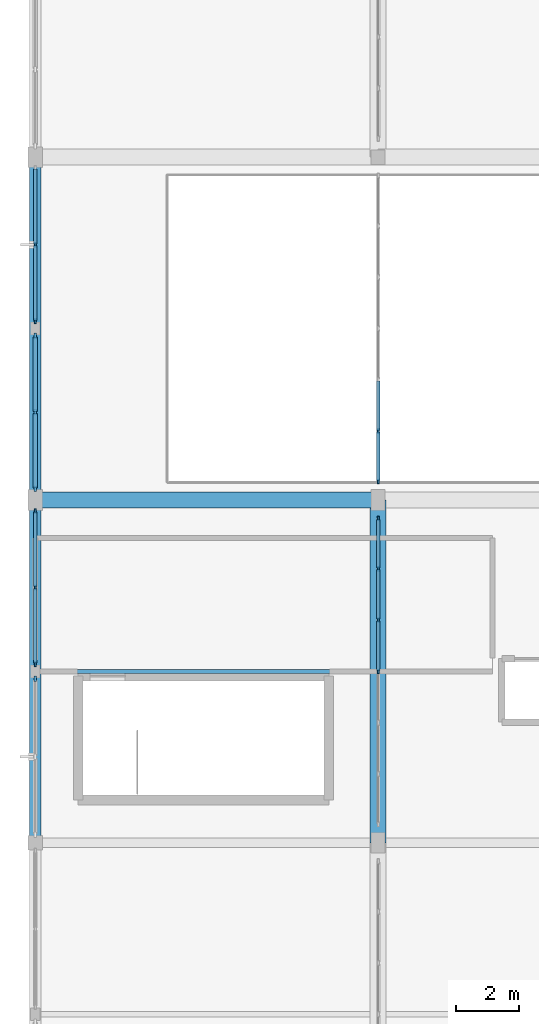
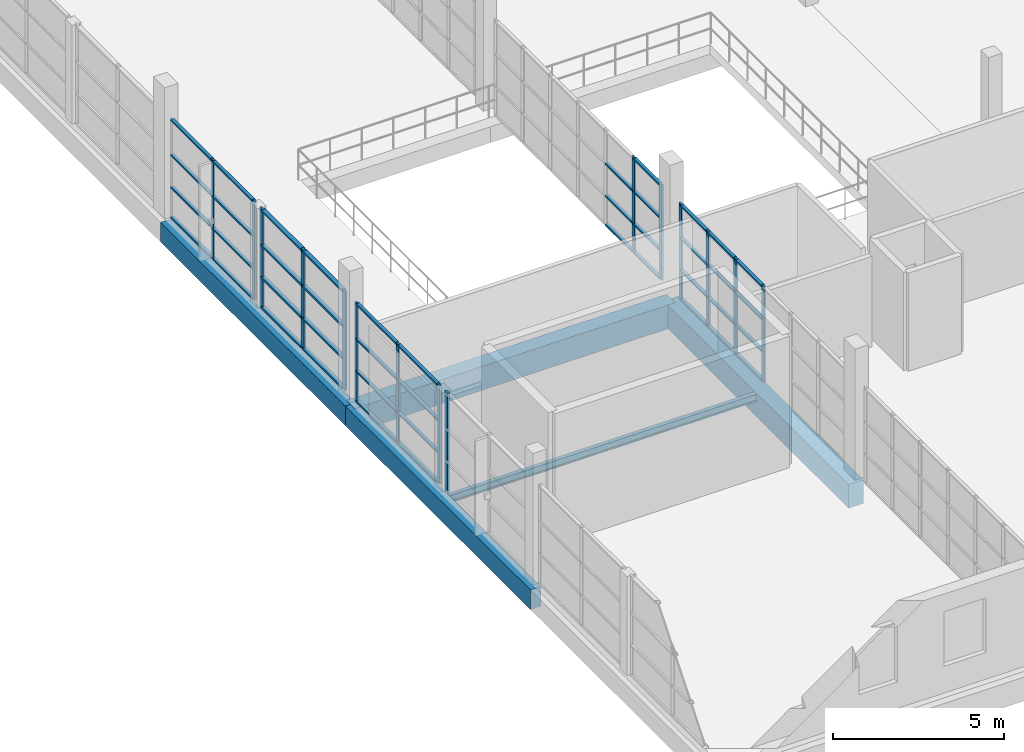
# One storey, part 9 of 142: 58 members, 5 beams, 6 elements without a shape of their own.
"""IFC4 building model written with IfcOpenShell, lengths in metres."""

import ifcopenshell
import ifcopenshell.guid

model = None  # the IFC model being written
_history = None  # IfcOwnerHistory: only IFC2X3 demands one
_inside = {}  # id of a spatial element -> (the spatial element, [elements in it])
_under = {}  # id of a project, library or spatial element -> (it, [spatial elements below it])
_declared = {}  # id of a project -> (the project, [libraries it declares])
_typed = {}  # id of a type object -> (the type object, [elements of that type])
_made_of = {}  # id of a material, layer set ... -> (it, [elements and type objects made of it])


def new_model(schema):
    """Start an empty IFC model of exactly this schema.

    Asked for "IFC4X3", IfcOpenShell would pick the latest addendum, in which some entities
    have other attributes; the version numbers below select the first issue.
    IFC2X3 requires an IfcOwnerHistory on every rooted entity: one is made here for all.
    """
    global model, _history
    if schema == "IFC4X3":
        model = ifcopenshell.file(schema_version=(4, 3, 0, 0))
    else:
        model = ifcopenshell.file(schema=schema)
    _inside.clear()
    _under.clear()
    _declared.clear()
    _typed.clear()
    _made_of.clear()
    _history = None
    if model.schema == "IFC2X3":
        org = make("IfcOrganization", Name="unknown")
        user = make(
            "IfcPersonAndOrganization",
            ThePerson=make("IfcPerson", FamilyName="unknown"),
            TheOrganization=org,
        )
        app = make(
            "IfcApplication",
            ApplicationDeveloper=org,
            Version="unknown",
            ApplicationFullName="unknown",
            ApplicationIdentifier="unknown",
        )
        _history = make(
            "IfcOwnerHistory",
            OwningUser=user,
            OwningApplication=app,
            ChangeAction="ADDED",
            CreationDate=0,
        )
    return model


def make(cls, **values):
    """One entity of the class cls with the attributes given. An attribute that is None is left unset."""
    return model.create_entity(
        cls, **{name: value for name, value in values.items() if value is not None}
    )


def rooted(cls, **values):
    """An entity with a GlobalId (a new one), such as an element, a storey or a relation."""
    return make(cls, GlobalId=ifcopenshell.guid.new(), OwnerHistory=_history, **values)


def si_unit(unit_type, name, prefix=None):
    """IfcSIUnit, for example si_unit("LENGTHUNIT", "METRE", prefix="MILLI")."""
    return make("IfcSIUnit", UnitType=unit_type, Prefix=prefix, Name=name)


def assignment(units):
    """IfcUnitAssignment: the units of a project."""
    return None if units is None else make("IfcUnitAssignment", Units=units)


def point(xyz):
    """IfcCartesianPoint."""
    return None if xyz is None else make("IfcCartesianPoint", Coordinates=xyz)


def direction(xyz):
    """IfcDirection."""
    return None if xyz is None else make("IfcDirection", DirectionRatios=xyz)


def frame(location, z_axis=None, x_axis=None):
    """IfcAxis2Placement3D, a coordinate frame: its origin and axes. An axis left out is left unset."""
    return make(
        "IfcAxis2Placement3D",
        Location=point(location),
        Axis=direction(z_axis),
        RefDirection=direction(x_axis),
    )


def frame_2d(location, x_axis=None):
    """IfcAxis2Placement2D, a coordinate frame in the plane: its origin and x axis."""
    return make(
        "IfcAxis2Placement2D", Location=point(location), RefDirection=direction(x_axis)
    )


def origin():
    """The frame at (0, 0, 0) with its axes left unset."""
    return frame((0.0, 0.0, 0.0))


def origin_2d():
    """The frame at (0, 0) in the plane with its x axis left unset."""
    return frame_2d((0.0, 0.0))


def place(relative_to, where):
    """IfcLocalPlacement: puts the frame where relative to a parent placement (None: the world)."""
    return make(
        "IfcLocalPlacement", PlacementRelTo=relative_to, RelativePlacement=where
    )


def context(
    kind, dimensions, precision=None, world=None, true_north=None, identifier=None
):
    """IfcGeometricRepresentationContext, for example the 3D "Model" context."""
    return make(
        "IfcGeometricRepresentationContext",
        ContextIdentifier=identifier,
        ContextType=kind,
        CoordinateSpaceDimension=dimensions,
        Precision=precision,
        WorldCoordinateSystem=world,
        TrueNorth=true_north,
    )


def subcontext(parent, identifier, kind, view, scale=None):
    """IfcGeometricRepresentationSubContext, for example "Body" below "Model"."""
    return make(
        "IfcGeometricRepresentationSubContext",
        ContextIdentifier=identifier,
        ContextType=kind,
        ParentContext=parent,
        TargetScale=scale,
        TargetView=view,
    )


def project(units=None, contexts=None):
    """IfcProject with its units and contexts."""
    return rooted(
        "IfcProject",
        Name="project",
        RepresentationContexts=contexts,
        UnitsInContext=assignment(units),
    )


def spatial(cls, under=None, at=None, **own):
    """A site, building, storey or space (cls), placed at a placement, below another one or the project."""
    s = rooted(cls, ObjectPlacement=at, **own)
    if under is not None:
        _under.setdefault(under.id(), (under, []))[1].append(s)
    return s


def profile(cls, at=None, kind="AREA", **sizes):
    """A parametric profile (cls). Its sizes go by their IFC names, for example OverallWidth=200.0."""
    return make(cls, ProfileType=kind, Position=at, **sizes)


def rectangle(**sizes):
    """IfcRectangleProfileDef."""
    return profile("IfcRectangleProfileDef", **sizes)


def i_section(**sizes):
    """IfcIShapeProfileDef."""
    return profile("IfcIShapeProfileDef", **sizes)


def extrude(swept, where, along, depth):
    """IfcExtrudedAreaSolid: the profile swept, set in the frame where, extruded along a direction by depth."""
    return make(
        "IfcExtrudedAreaSolid",
        SweptArea=swept,
        Position=where,
        ExtrudedDirection=direction(along),
        Depth=depth,
    )


def shape(context_of_items, identifier, shape_type, items):
    """IfcShapeRepresentation: the items that make up one representation, for example the "Body"."""
    return make(
        "IfcShapeRepresentation",
        ContextOfItems=context_of_items,
        RepresentationIdentifier=identifier,
        RepresentationType=shape_type,
        Items=items,
    )


def material(Name=None, Category=None):
    """IfcMaterial."""
    return make("IfcMaterial", Name=Name, Category=Category)


def material_profile(
    of_material, cross_section, Name=None, Category=None, Priority=None
):
    """IfcMaterialProfile: a cross section and its material."""
    return make(
        "IfcMaterialProfile",
        Name=Name,
        Material=of_material,
        Profile=cross_section,
        Priority=Priority,
        Category=Category,
    )


def profile_set(profiles, Name=None, composite=None):
    """IfcMaterialProfileSet."""
    return make(
        "IfcMaterialProfileSet",
        Name=Name,
        MaterialProfiles=profiles,
        CompositeProfile=composite,
    )


def made_of(thing, what):
    """Note that an element or type object is made of a material, layer set ...; save() writes the relation."""
    if what is not None:
        _made_of.setdefault(what.id(), (what, []))[1].append(thing)
    return thing


def type_object(cls, material=None, **own):
    """A type object (cls), such as IfcWallType, which elements share."""
    return made_of(rooted(cls, **own), material)


def element(
    cls,
    number,
    at=None,
    inside=None,
    cuts=None,
    type_object=None,
    material=None,
    context=None,
    identifier="Body",
    shape_type=None,
    held_by="IfcProductDefinitionShape",
    body=None,
    shapes=None,
    **own,
):
    """One element of the class cls, such as IfcWall. Its Tag is "e" and its number.

    at: its placement. inside: the storey or other place that contains it. cuts: it is an
    opening in that element (IfcRelVoidsElement). A single representation is given by context,
    identifier, shape_type and body (its items); several are given by shapes. held_by: the class
    of the entity that holds the representations. save() writes the other relations.
    """
    e = rooted(cls, Tag="e%d" % number, ObjectPlacement=at, **own)
    if body is not None:
        shapes = [shape(context, identifier, shape_type, body)]
    if shapes is not None:
        e.Representation = make(held_by, Representations=shapes)
    if inside is not None:
        _inside.setdefault(inside.id(), (inside, []))[1].append(e)
    if cuts is not None:
        rooted(
            "IfcRelVoidsElement", RelatingBuildingElement=cuts, RelatedOpeningElement=e
        )
    if type_object is not None:
        _typed.setdefault(type_object.id(), (type_object, []))[1].append(e)
    return made_of(e, material)


def aggregate(whole, parts):
    """IfcRelAggregates: a whole, such as a stair, and the parts it consists of."""
    return rooted("IfcRelAggregates", RelatingObject=whole, RelatedObjects=parts)


def save(model, path):
    """Write the relations noted so far, then the file.

    IfcRelAggregates (storeys below a building ...), IfcRelContainedInSpatialStructure (elements
    in a storey), IfcRelDefinesByType, IfcRelAssociatesMaterial and IfcRelDeclares: one each for
    every whole, place, type object, material and project.
    """
    for whole, parts in _under.values():
        aggregate(whole, parts)
    for where, things in _inside.values():
        rooted(
            "IfcRelContainedInSpatialStructure",
            RelatedElements=things,
            RelatingStructure=where,
        )
    for kind, things in _typed.values():
        rooted("IfcRelDefinesByType", RelatedObjects=things, RelatingType=kind)
    for what, things in _made_of.values():
        rooted("IfcRelAssociatesMaterial", RelatedObjects=things, RelatingMaterial=what)
    for by, libraries in _declared.values():
        rooted("IfcRelDeclares", RelatingContext=by, RelatedDefinitions=libraries)
    model.write(path)


model = new_model("IFC4")

# Units and contexts
model_context = context("Model", 3, precision=1e-05, world=origin(), true_north=direction((0.0, 1.0)))
body_context = subcontext(model_context, "Body", "Model", "MODEL_VIEW")
ifc_project = project(units=[si_unit("LENGTHUNIT", "METRE"), si_unit("AREAUNIT", "SQUARE_METRE"), si_unit("VOLUMEUNIT", "CUBIC_METRE"), si_unit("PLANEANGLEUNIT", "RADIAN"), si_unit("MASSUNIT", "GRAM", prefix="KILO")], contexts=[model_context])

# Site, building, storey
site_placement = place(None, origin())
site = spatial("IfcSite", under=ifc_project, at=site_placement, CompositionType="ELEMENT")
building_placement = place(site_placement, origin())
building = spatial("IfcBuilding", under=site, at=building_placement, Name="Zwinboog Wholesale Market", CompositionType="ELEMENT")
storey_placement = place(building_placement, frame((0.0, 0.0, 5.39990234375)))
storey = spatial("IfcBuildingStorey", under=building, at=storey_placement, Name="L01", CompositionType="ELEMENT", Elevation=5.39990234375)

# Beams
ifc_material_1 = material(Name="Precast concrete C45/55", Category="concrete")
ifc_material_profile_1 = material_profile(ifc_material_1, rectangle(XDim=0.5, YDim=0.85009765625, at=origin_2d()), Name="PC 500x850")
ifc_profile_set_1 = profile_set([ifc_material_profile_1], Name="Precast concrete C45/55")
beam_type_1 = type_object("IfcBeamType", Name="BT-03", PredefinedType="BEAM", material=ifc_profile_set_1)
for number, where, z_axis, x_axis, name in (
    (1, (0.0, 21.60009765625, -0.7568359375), (1.0, 0.0, 0.0), (0.0, 1.0, 0.0), "BG-03 (BMG-L01-0000-0216-0437)"),
    (2, (10.800048828125, 10.800048828125, -0.7568359375), (0.0, 1.0, 0.0), (-1.0, 0.0, 0.0), "BG-03 (BMG-L01-0108-0108-0614)"),
):
    element("IfcBeam", number, at=place(storey_placement, frame(where, z_axis=z_axis, x_axis=x_axis)), inside=storey, type_object=beam_type_1, Name=name, PredefinedType="BEAM", context=body_context, shape_type="SweptSolid", body=[
        extrude(rectangle(XDim=0.5, YDim=0.85009765625, at=origin_2d()), origin(), (0.0, 0.0, 1.0), 10.800048828125),
    ])
ifc_material_profile_2 = material_profile(ifc_material_1, rectangle(XDim=0.35009765625, YDim=0.699951171875, at=origin_2d()), Name="PC 350x700")
ifc_profile_set_2 = profile_set([ifc_material_profile_2], Name="Precast concrete C45/55")
beam_type_2 = type_object("IfcBeamType", Name="BT-08", PredefinedType="SPANDREL", material=ifc_profile_set_2)
beam_1_placement = place(storey_placement, frame((0.0, 10.800048828125, -0.681884765625), z_axis=(0.0, 1.0, 0.0), x_axis=(-1.0, 0.0, 0.0)))
element("IfcBeam", 3, at=beam_1_placement, inside=storey, type_object=beam_type_2, Name="SP-01 (BMG-L01-0000-0108-0602)", PredefinedType="SPANDREL", context=body_context, shape_type="SweptSolid", body=[
    extrude(rectangle(XDim=0.35009765625, YDim=0.699951171875, at=origin_2d()), origin(), (0.0, 0.0, 1.0), 10.800048828125),
])
beam_2_placement = place(storey_placement, frame((0.0, 21.60009765625, -0.681884765625), z_axis=(0.0, 1.0, 0.0), x_axis=(-1.0, 0.0, 0.0)))
element("IfcBeam", 4, at=beam_2_placement, inside=storey, type_object=beam_type_2, Name="SP-01 (BMG-L01-0000-0216-0603)", PredefinedType="SPANDREL", context=body_context, shape_type="SweptSolid", body=[
    extrude(rectangle(XDim=0.35009765625, YDim=0.699951171875, at=origin_2d()), origin(), (0.0, 0.0, 1.0), 10.7998046875),
])
ifc_material_2 = material(Name="Steel S355", Category="steel")
ifc_material_profile_3 = material_profile(ifc_material_2, i_section(OverallWidth=0.135009765625, OverallDepth=0.27001953125, WebThickness=0.006591796875, FlangeThickness=0.01025390625, FilletRadius=0.014892578125, at=origin_2d()), Name="IPE 270")
ifc_profile_set_3 = profile_set([ifc_material_profile_3], Name="Steel S355")
beam_type_3 = type_object("IfcBeamType", Name="BT-21", PredefinedType="JOIST", material=ifc_profile_set_3)
beam_3_placement = place(storey_placement, frame((0.175048828125, 16.199951171875, -0.466796875), z_axis=(1.0, 0.0, 0.0), x_axis=(0.0, 1.0, 0.0)))
element("IfcBeam", 5, at=beam_3_placement, inside=storey, type_object=beam_type_3, Name="SJ-04 (BMG-L01-0002-0162-0778)", PredefinedType="JOIST", context=body_context, shape_type="SweptSolid", body=[
    extrude(i_section(OverallWidth=0.135009765625, OverallDepth=0.27001953125, WebThickness=0.006591796875, FlangeThickness=0.01025390625, FilletRadius=0.014892578125, at=origin_2d()), origin(), (0.0, 0.0, 1.0), 10.375),
])

# Curtain wall, member
ifc_material_3 = material(Name="Aluminium thermally broken curtain wall", Category="aluminium")
curtain_wall_type_1 = type_object("IfcCurtainWallType", Name="CWT-HALL-24", PredefinedType="USERDEFINED", material=ifc_material_3)
curtain_wall_1_placement = place(storey_placement, origin())
curtain_wall_1 = element("IfcCurtainWall", 6, at=curtain_wall_1_placement, inside=storey, type_object=curtain_wall_type_1, Name="CW-03 (CW-L01-051)", ObjectType="UNITIZED_CURTAIN_WALL", PredefinedType="USERDEFINED")
ifc_material_4 = material(Name="Aluminium EN AW-6060", Category="aluminium")
ifc_material_profile_4 = material_profile(ifc_material_4, rectangle(XDim=0.06494140625, YDim=0.179931640625, at=origin_2d()), Name="AL 65x180")
ifc_profile_set_4 = profile_set([ifc_material_profile_4], Name="Aluminium EN AW-6060")
member_type_1 = type_object("IfcMemberType", Name="CWM-65x180", PredefinedType="MULLION", material=ifc_profile_set_4)
member_1_placement = place(storey_placement, frame((0.0, 15.967529296875, 0.0), z_axis=(0.0, 0.0, 1.0), x_axis=(-1.0, 0.0, 0.0)))
member_1 = element("IfcMember", 7, at=member_1_placement, type_object=member_type_1, Name="CW-03 mullion 3", PredefinedType="MULLION", context=body_context, shape_type="SweptSolid", body=[
    extrude(rectangle(XDim=0.06494140625, YDim=0.179931640625, at=origin_2d()), origin(), (0.0, 0.0, 1.0), 3.530029296875),
])
aggregate(curtain_wall_1, [member_1])

# Curtain wall, members
curtain_wall_type_2 = type_object("IfcCurtainWallType", Name="CWT-CAFE-22", PredefinedType="USERDEFINED", material=ifc_material_3)
curtain_wall_2_placement = place(storey_placement, origin())
curtain_wall_2 = element("IfcCurtainWall", 8, at=curtain_wall_2_placement, inside=storey, type_object=curtain_wall_type_2, Name="CW-05 (CW-L01-053)", ObjectType="STOREFRONT_GLAZING", PredefinedType="USERDEFINED")
member_2_placement = place(storey_placement, frame((0.0, 21.952392578125, 0.0), z_axis=(0.0, 0.0, 1.0), x_axis=(-1.0, 0.0, 0.0)))
member_2 = element("IfcMember", 9, at=member_2_placement, type_object=member_type_1, Name="CW-05 mullion 1", PredefinedType="MULLION", context=body_context, shape_type="SweptSolid", body=[
    extrude(rectangle(XDim=0.06494140625, YDim=0.179931640625, at=origin_2d()), origin(), (0.0, 0.0, 1.0), 3.530029296875),
])
member_3_placement = place(storey_placement, frame((0.0, 24.360107421875, 0.0), z_axis=(0.0, 0.0, 1.0), x_axis=(-1.0, 0.0, 0.0)))
member_3 = element("IfcMember", 10, at=member_3_placement, type_object=member_type_1, Name="CW-05 mullion 2", PredefinedType="MULLION", context=body_context, shape_type="SweptSolid", body=[
    extrude(rectangle(XDim=0.06494140625, YDim=0.179931640625, at=origin_2d()), origin(), (0.0, 0.0, 1.0), 3.530029296875),
])
member_4_placement = place(storey_placement, frame((0.0, 26.767578125, 0.0), z_axis=(0.0, 0.0, 1.0), x_axis=(-1.0, 0.0, 0.0)))
member_4 = element("IfcMember", 11, at=member_4_placement, type_object=member_type_1, Name="CW-05 mullion 3", PredefinedType="MULLION", context=body_context, shape_type="SweptSolid", body=[
    extrude(rectangle(XDim=0.06494140625, YDim=0.179931640625, at=origin_2d()), origin(), (0.0, 0.0, 1.0), 3.530029296875),
])

curtain_wall_type_3 = type_object("IfcCurtainWallType", Name="CWT-GAL-16", PredefinedType="USERDEFINED", material=ifc_material_3)
curtain_wall_3_placement = place(storey_placement, origin())
curtain_wall_3 = element("IfcCurtainWall", 12, at=curtain_wall_3_placement, inside=storey, type_object=curtain_wall_type_3, Name="CW-04 (CW-L01-052)", ObjectType="UNITIZED_CURTAIN_WALL", PredefinedType="USERDEFINED")
ifc_material_profile_5 = material_profile(ifc_material_4, rectangle(XDim=0.06005859375, YDim=0.14990234375, at=origin_2d()), Name="AL 60x150")
ifc_profile_set_5 = profile_set([ifc_material_profile_5], Name="Aluminium EN AW-6060")
member_type_2 = type_object("IfcMemberType", Name="CWM-60x150", PredefinedType="MULLION", material=ifc_profile_set_5)
member_5_placement = place(storey_placement, frame((0.0, 16.429931640625, 0.0), z_axis=(0.0, 0.0, 1.0), x_axis=(-1.0, 0.0, 0.0)))
member_5 = element("IfcMember", 13, at=member_5_placement, type_object=member_type_2, Name="CW-04 mullion 1", PredefinedType="MULLION", context=body_context, shape_type="SweptSolid", body=[
    extrude(rectangle(XDim=0.06005859375, YDim=0.14990234375, at=origin_2d()), origin(), (0.0, 0.0, 1.0), 3.530029296875),
])
member_6_placement = place(storey_placement, frame((0.0, 18.840087890625, 0.0), z_axis=(0.0, 0.0, 1.0), x_axis=(-1.0, 0.0, 0.0)))
member_6 = element("IfcMember", 14, at=member_6_placement, type_object=member_type_2, Name="CW-04 mullion 2", PredefinedType="MULLION", context=body_context, shape_type="SweptSolid", body=[
    extrude(rectangle(XDim=0.06005859375, YDim=0.14990234375, at=origin_2d()), origin(), (0.0, 0.0, 1.0), 3.530029296875),
])
member_7_placement = place(storey_placement, frame((0.0, 21.25, 0.0), z_axis=(0.0, 0.0, 1.0), x_axis=(-1.0, 0.0, 0.0)))
member_7 = element("IfcMember", 15, at=member_7_placement, type_object=member_type_2, Name="CW-04 mullion 3", PredefinedType="MULLION", context=body_context, shape_type="SweptSolid", body=[
    extrude(rectangle(XDim=0.06005859375, YDim=0.14990234375, at=origin_2d()), origin(), (0.0, 0.0, 1.0), 3.530029296875),
])

curtain_wall_type_4 = type_object("IfcCurtainWallType", Name="CWT-OFF-15", PredefinedType="USERDEFINED", material=ifc_material_3)
curtain_wall_4_placement = place(storey_placement, origin())
curtain_wall_4 = element("IfcCurtainWall", 16, at=curtain_wall_4_placement, inside=storey, type_object=curtain_wall_type_4, Name="CW-06 (CW-L01-054)", ObjectType="UNITIZED_CURTAIN_WALL", PredefinedType="USERDEFINED")
member_8_placement = place(storey_placement, frame((0.0, 27.22998046875, 0.0), z_axis=(0.0, 0.0, 1.0), x_axis=(-1.0, 0.0, 0.0)))
member_8 = element("IfcMember", 17, at=member_8_placement, type_object=member_type_2, Name="CW-06 mullion 1", PredefinedType="MULLION", context=body_context, shape_type="SweptSolid", body=[
    extrude(rectangle(XDim=0.06005859375, YDim=0.14990234375, at=origin_2d()), origin(), (0.0, 0.0, 1.0), 3.530029296875),
])
member_9_placement = place(storey_placement, frame((0.0, 29.639892578125, 0.0), z_axis=(0.0, 0.0, 1.0), x_axis=(-1.0, 0.0, 0.0)))
member_9 = element("IfcMember", 18, at=member_9_placement, type_object=member_type_2, Name="CW-06 mullion 2", PredefinedType="MULLION", context=body_context, shape_type="SweptSolid", body=[
    extrude(rectangle(XDim=0.06005859375, YDim=0.14990234375, at=origin_2d()), origin(), (0.0, 0.0, 1.0), 3.530029296875),
])

# Member
ifc_material_profile_6 = material_profile(ifc_material_4, rectangle(XDim=0.139892578125, YDim=0.06494140625, at=origin_2d()), Name="AL 65x140")
ifc_profile_set_6 = profile_set([ifc_material_profile_6], Name="Aluminium EN AW-6060")
member_type_3 = type_object("IfcMemberType", Name="CWT-65x140", PredefinedType="USERDEFINED", material=ifc_profile_set_6)
member_10_placement = place(storey_placement, frame((0.0, 21.985107421875, 0.03271484375), z_axis=(0.0, 1.0, 0.0), x_axis=(-1.0, 0.0, 0.0)))
member_10 = element("IfcMember", 19, at=member_10_placement, type_object=member_type_3, Name="CW-05 transom 1.1", ObjectType="TRANSOM", PredefinedType="USERDEFINED", context=body_context, shape_type="SweptSolid", body=[
    extrude(rectangle(XDim=0.139892578125, YDim=0.06494140625, at=origin_2d()), origin(), (0.0, 0.0, 1.0), 2.34228515625),
])

member_11_placement = place(storey_placement, frame((0.0, 21.985107421875, 1.10009765625), z_axis=(0.0, 1.0, 0.0), x_axis=(-1.0, 0.0, 0.0)))
member_11 = element("IfcMember", 20, at=member_11_placement, type_object=member_type_3, Name="CW-05 transom 1.2", ObjectType="TRANSOM", PredefinedType="USERDEFINED", context=body_context, shape_type="SweptSolid", body=[
    extrude(rectangle(XDim=0.139892578125, YDim=0.06494140625, at=origin_2d()), origin(), (0.0, 0.0, 1.0), 2.34228515625),
])

member_12_placement = place(storey_placement, frame((0.0, 21.985107421875, 2.25), z_axis=(0.0, 1.0, 0.0), x_axis=(-1.0, 0.0, 0.0)))
member_12 = element("IfcMember", 21, at=member_12_placement, type_object=member_type_3, Name="CW-05 transom 1.3", ObjectType="TRANSOM", PredefinedType="USERDEFINED", context=body_context, shape_type="SweptSolid", body=[
    extrude(rectangle(XDim=0.139892578125, YDim=0.06494140625, at=origin_2d()), origin(), (0.0, 0.0, 1.0), 2.34228515625),
])

member_13_placement = place(storey_placement, frame((0.0, 21.985107421875, 3.49755859375), z_axis=(0.0, 1.0, 0.0), x_axis=(-1.0, 0.0, 0.0)))
member_13 = element("IfcMember", 22, at=member_13_placement, type_object=member_type_3, Name="CW-05 transom 1.4", ObjectType="TRANSOM", PredefinedType="USERDEFINED", context=body_context, shape_type="SweptSolid", body=[
    extrude(rectangle(XDim=0.139892578125, YDim=0.06494140625, at=origin_2d()), origin(), (0.0, 0.0, 1.0), 2.34228515625),
])

member_14_placement = place(storey_placement, frame((0.0, 24.392578125, 0.03271484375), z_axis=(0.0, 1.0, 0.0), x_axis=(-1.0, 0.0, 0.0)))
member_14 = element("IfcMember", 23, at=member_14_placement, type_object=member_type_3, Name="CW-05 transom 2.1", ObjectType="TRANSOM", PredefinedType="USERDEFINED", context=body_context, shape_type="SweptSolid", body=[
    extrude(rectangle(XDim=0.139892578125, YDim=0.06494140625, at=origin_2d()), origin(), (0.0, 0.0, 1.0), 2.342529296875),
])

member_15_placement = place(storey_placement, frame((0.0, 24.392578125, 1.10009765625), z_axis=(0.0, 1.0, 0.0), x_axis=(-1.0, 0.0, 0.0)))
member_15 = element("IfcMember", 24, at=member_15_placement, type_object=member_type_3, Name="CW-05 transom 2.2", ObjectType="TRANSOM", PredefinedType="USERDEFINED", context=body_context, shape_type="SweptSolid", body=[
    extrude(rectangle(XDim=0.139892578125, YDim=0.06494140625, at=origin_2d()), origin(), (0.0, 0.0, 1.0), 2.342529296875),
])

member_16_placement = place(storey_placement, frame((0.0, 24.392578125, 2.25), z_axis=(0.0, 1.0, 0.0), x_axis=(-1.0, 0.0, 0.0)))
member_16 = element("IfcMember", 25, at=member_16_placement, type_object=member_type_3, Name="CW-05 transom 2.3", ObjectType="TRANSOM", PredefinedType="USERDEFINED", context=body_context, shape_type="SweptSolid", body=[
    extrude(rectangle(XDim=0.139892578125, YDim=0.06494140625, at=origin_2d()), origin(), (0.0, 0.0, 1.0), 2.342529296875),
])

member_17_placement = place(storey_placement, frame((0.0, 24.392578125, 3.49755859375), z_axis=(0.0, 1.0, 0.0), x_axis=(-1.0, 0.0, 0.0)))
member_17 = element("IfcMember", 26, at=member_17_placement, type_object=member_type_3, Name="CW-05 transom 2.4", ObjectType="TRANSOM", PredefinedType="USERDEFINED", context=body_context, shape_type="SweptSolid", body=[
    extrude(rectangle(XDim=0.139892578125, YDim=0.06494140625, at=origin_2d()), origin(), (0.0, 0.0, 1.0), 2.342529296875),
])

aggregate(curtain_wall_2, [member_2, member_3, member_4, member_10, member_11, member_12, member_13, member_14, member_15, member_16, member_17])

ifc_material_profile_7 = material_profile(ifc_material_4, rectangle(XDim=0.110107421875, YDim=0.06005859375, at=origin_2d()), Name="AL 60x110")
ifc_profile_set_7 = profile_set([ifc_material_profile_7], Name="Aluminium EN AW-6060")
member_type_4 = type_object("IfcMemberType", Name="CWT-60x110", PredefinedType="USERDEFINED", material=ifc_profile_set_7)
member_18_placement = place(storey_placement, frame((0.0, 16.4599609375, 0.030029296875), z_axis=(0.0, 1.0, 0.0), x_axis=(-1.0, 0.0, 0.0)))
member_18 = element("IfcMember", 27, at=member_18_placement, type_object=member_type_4, Name="CW-04 transom 1.1", ObjectType="TRANSOM", PredefinedType="USERDEFINED", context=body_context, shape_type="SweptSolid", body=[
    extrude(rectangle(XDim=0.110107421875, YDim=0.06005859375, at=origin_2d()), origin(), (0.0, 0.0, 1.0), 2.35009765625),
])

member_19_placement = place(storey_placement, frame((0.0, 16.4599609375, 1.10009765625), z_axis=(0.0, 1.0, 0.0), x_axis=(-1.0, 0.0, 0.0)))
member_19 = element("IfcMember", 28, at=member_19_placement, type_object=member_type_4, Name="CW-04 transom 1.2", ObjectType="TRANSOM", PredefinedType="USERDEFINED", context=body_context, shape_type="SweptSolid", body=[
    extrude(rectangle(XDim=0.110107421875, YDim=0.06005859375, at=origin_2d()), origin(), (0.0, 0.0, 1.0), 2.35009765625),
])

member_20_placement = place(storey_placement, frame((0.0, 16.4599609375, 2.25), z_axis=(0.0, 1.0, 0.0), x_axis=(-1.0, 0.0, 0.0)))
member_20 = element("IfcMember", 29, at=member_20_placement, type_object=member_type_4, Name="CW-04 transom 1.3", ObjectType="TRANSOM", PredefinedType="USERDEFINED", context=body_context, shape_type="SweptSolid", body=[
    extrude(rectangle(XDim=0.110107421875, YDim=0.06005859375, at=origin_2d()), origin(), (0.0, 0.0, 1.0), 2.35009765625),
])

member_21_placement = place(storey_placement, frame((0.0, 16.4599609375, 3.5), z_axis=(0.0, 1.0, 0.0), x_axis=(-1.0, 0.0, 0.0)))
member_21 = element("IfcMember", 30, at=member_21_placement, type_object=member_type_4, Name="CW-04 transom 1.4", ObjectType="TRANSOM", PredefinedType="USERDEFINED", context=body_context, shape_type="SweptSolid", body=[
    extrude(rectangle(XDim=0.110107421875, YDim=0.06005859375, at=origin_2d()), origin(), (0.0, 0.0, 1.0), 2.35009765625),
])

member_22_placement = place(storey_placement, frame((0.0, 18.8701171875, 0.030029296875), z_axis=(0.0, 1.0, 0.0), x_axis=(-1.0, 0.0, 0.0)))
member_22 = element("IfcMember", 31, at=member_22_placement, type_object=member_type_4, Name="CW-04 transom 2.1", ObjectType="TRANSOM", PredefinedType="USERDEFINED", context=body_context, shape_type="SweptSolid", body=[
    extrude(rectangle(XDim=0.110107421875, YDim=0.06005859375, at=origin_2d()), origin(), (0.0, 0.0, 1.0), 2.349853515625),
])

member_23_placement = place(storey_placement, frame((0.0, 18.8701171875, 1.10009765625), z_axis=(0.0, 1.0, 0.0), x_axis=(-1.0, 0.0, 0.0)))
member_23 = element("IfcMember", 32, at=member_23_placement, type_object=member_type_4, Name="CW-04 transom 2.2", ObjectType="TRANSOM", PredefinedType="USERDEFINED", context=body_context, shape_type="SweptSolid", body=[
    extrude(rectangle(XDim=0.110107421875, YDim=0.06005859375, at=origin_2d()), origin(), (0.0, 0.0, 1.0), 2.349853515625),
])

member_24_placement = place(storey_placement, frame((0.0, 18.8701171875, 2.25), z_axis=(0.0, 1.0, 0.0), x_axis=(-1.0, 0.0, 0.0)))
member_24 = element("IfcMember", 33, at=member_24_placement, type_object=member_type_4, Name="CW-04 transom 2.3", ObjectType="TRANSOM", PredefinedType="USERDEFINED", context=body_context, shape_type="SweptSolid", body=[
    extrude(rectangle(XDim=0.110107421875, YDim=0.06005859375, at=origin_2d()), origin(), (0.0, 0.0, 1.0), 2.349853515625),
])

member_25_placement = place(storey_placement, frame((0.0, 18.8701171875, 3.5), z_axis=(0.0, 1.0, 0.0), x_axis=(-1.0, 0.0, 0.0)))
member_25 = element("IfcMember", 34, at=member_25_placement, type_object=member_type_4, Name="CW-04 transom 2.4", ObjectType="TRANSOM", PredefinedType="USERDEFINED", context=body_context, shape_type="SweptSolid", body=[
    extrude(rectangle(XDim=0.110107421875, YDim=0.06005859375, at=origin_2d()), origin(), (0.0, 0.0, 1.0), 2.349853515625),
])

aggregate(curtain_wall_3, [member_5, member_6, member_7, member_18, member_19, member_20, member_21, member_22, member_23, member_24, member_25])

member_26_placement = place(storey_placement, frame((0.0, 27.260009765625, 0.030029296875), z_axis=(0.0, 1.0, 0.0), x_axis=(-1.0, 0.0, 0.0)))
member_26 = element("IfcMember", 35, at=member_26_placement, type_object=member_type_4, Name="CW-06 transom 1.1", ObjectType="TRANSOM", PredefinedType="USERDEFINED", context=body_context, shape_type="SweptSolid", body=[
    extrude(rectangle(XDim=0.110107421875, YDim=0.06005859375, at=origin_2d()), origin(), (0.0, 0.0, 1.0), 2.35009765625),
])

member_27_placement = place(storey_placement, frame((0.0, 27.260009765625, 1.10009765625), z_axis=(0.0, 1.0, 0.0), x_axis=(-1.0, 0.0, 0.0)))
member_27 = element("IfcMember", 36, at=member_27_placement, type_object=member_type_4, Name="CW-06 transom 1.2", ObjectType="TRANSOM", PredefinedType="USERDEFINED", context=body_context, shape_type="SweptSolid", body=[
    extrude(rectangle(XDim=0.110107421875, YDim=0.06005859375, at=origin_2d()), origin(), (0.0, 0.0, 1.0), 2.35009765625),
])

member_28_placement = place(storey_placement, frame((0.0, 27.260009765625, 2.25), z_axis=(0.0, 1.0, 0.0), x_axis=(-1.0, 0.0, 0.0)))
member_28 = element("IfcMember", 37, at=member_28_placement, type_object=member_type_4, Name="CW-06 transom 1.3", ObjectType="TRANSOM", PredefinedType="USERDEFINED", context=body_context, shape_type="SweptSolid", body=[
    extrude(rectangle(XDim=0.110107421875, YDim=0.06005859375, at=origin_2d()), origin(), (0.0, 0.0, 1.0), 2.35009765625),
])

member_29_placement = place(storey_placement, frame((0.0, 27.260009765625, 3.5), z_axis=(0.0, 1.0, 0.0), x_axis=(-1.0, 0.0, 0.0)))
member_29 = element("IfcMember", 38, at=member_29_placement, type_object=member_type_4, Name="CW-06 transom 1.4", ObjectType="TRANSOM", PredefinedType="USERDEFINED", context=body_context, shape_type="SweptSolid", body=[
    extrude(rectangle(XDim=0.110107421875, YDim=0.06005859375, at=origin_2d()), origin(), (0.0, 0.0, 1.0), 2.35009765625),
])

member_30_placement = place(storey_placement, frame((0.0, 29.669921875, 0.030029296875), z_axis=(0.0, 1.0, 0.0), x_axis=(-1.0, 0.0, 0.0)))
member_30 = element("IfcMember", 39, at=member_30_placement, type_object=member_type_4, Name="CW-06 transom 2.1", ObjectType="TRANSOM", PredefinedType="USERDEFINED", context=body_context, shape_type="SweptSolid", body=[
    extrude(rectangle(XDim=0.110107421875, YDim=0.06005859375, at=origin_2d()), origin(), (0.0, 0.0, 1.0), 2.35009765625),
])

member_31_placement = place(storey_placement, frame((0.0, 29.669921875, 1.10009765625), z_axis=(0.0, 1.0, 0.0), x_axis=(-1.0, 0.0, 0.0)))
member_31 = element("IfcMember", 40, at=member_31_placement, type_object=member_type_4, Name="CW-06 transom 2.2", ObjectType="TRANSOM", PredefinedType="USERDEFINED", context=body_context, shape_type="SweptSolid", body=[
    extrude(rectangle(XDim=0.110107421875, YDim=0.06005859375, at=origin_2d()), origin(), (0.0, 0.0, 1.0), 2.35009765625),
])

member_32_placement = place(storey_placement, frame((0.0, 29.669921875, 2.25), z_axis=(0.0, 1.0, 0.0), x_axis=(-1.0, 0.0, 0.0)))
member_32 = element("IfcMember", 41, at=member_32_placement, type_object=member_type_4, Name="CW-06 transom 2.3", ObjectType="TRANSOM", PredefinedType="USERDEFINED", context=body_context, shape_type="SweptSolid", body=[
    extrude(rectangle(XDim=0.110107421875, YDim=0.06005859375, at=origin_2d()), origin(), (0.0, 0.0, 1.0), 2.35009765625),
])

member_33_placement = place(storey_placement, frame((0.0, 29.669921875, 3.5), z_axis=(0.0, 1.0, 0.0), x_axis=(-1.0, 0.0, 0.0)))
member_33 = element("IfcMember", 42, at=member_33_placement, type_object=member_type_4, Name="CW-06 transom 2.4", ObjectType="TRANSOM", PredefinedType="USERDEFINED", context=body_context, shape_type="SweptSolid", body=[
    extrude(rectangle(XDim=0.110107421875, YDim=0.06005859375, at=origin_2d()), origin(), (0.0, 0.0, 1.0), 2.35009765625),
])

aggregate(curtain_wall_4, [member_8, member_9, member_26, member_27, member_28, member_29, member_30, member_31, member_32, member_33])

# Curtain wall, members
curtain_wall_type_5 = type_object("IfcCurtainWallType", Name="CWT-INT-STALL", PredefinedType="USERDEFINED", material=ifc_material_3)
curtain_wall_5_placement = place(storey_placement, origin())
curtain_wall_5 = element("IfcCurtainWall", 43, at=curtain_wall_5_placement, inside=storey, type_object=curtain_wall_type_5, Name="CW-07 (CW-STL-256)", ObjectType="STOREFRONT_GLAZING", PredefinedType="USERDEFINED")
ifc_material_profile_8 = material_profile(ifc_material_4, rectangle(XDim=0.06005859375, YDim=0.14990234375, at=origin_2d()), Name="AL 60x150")
ifc_profile_set_8 = profile_set([ifc_material_profile_8], Name="Aluminium EN AW-6060")
member_type_5 = type_object("IfcMemberType", Name="CWM-INT-60x120", PredefinedType="MULLION", material=ifc_profile_set_8)
member_34_placement = place(storey_placement, frame((10.800048828125, 16.199951171875, 0.0), z_axis=(0.0, 0.0, 1.0), x_axis=(-1.0, 0.0, 0.0)))
member_34 = element("IfcMember", 44, at=member_34_placement, type_object=member_type_5, Name="CW-07 mullion 4", PredefinedType="MULLION", context=body_context, shape_type="SweptSolid", body=[
    extrude(rectangle(XDim=0.06005859375, YDim=0.14990234375, at=origin_2d()), origin(), (0.0, 0.0, 1.0), 3.400146484375),
])
member_35_placement = place(storey_placement, frame((10.800048828125, 17.816650390625, 0.0), z_axis=(0.0, 0.0, 1.0), x_axis=(-1.0, 0.0, 0.0)))
member_35 = element("IfcMember", 45, at=member_35_placement, type_object=member_type_5, Name="CW-07 mullion 5", PredefinedType="MULLION", context=body_context, shape_type="SweptSolid", body=[
    extrude(rectangle(XDim=0.06005859375, YDim=0.14990234375, at=origin_2d()), origin(), (0.0, 0.0, 1.0), 3.400146484375),
])
member_36_placement = place(storey_placement, frame((10.800048828125, 19.433349609375, 0.0), z_axis=(0.0, 0.0, 1.0), x_axis=(-1.0, 0.0, 0.0)))
member_36 = element("IfcMember", 46, at=member_36_placement, type_object=member_type_5, Name="CW-07 mullion 6", PredefinedType="MULLION", context=body_context, shape_type="SweptSolid", body=[
    extrude(rectangle(XDim=0.06005859375, YDim=0.14990234375, at=origin_2d()), origin(), (0.0, 0.0, 1.0), 3.400146484375),
])
member_37_placement = place(storey_placement, frame((10.800048828125, 21.02001953125, 0.0), z_axis=(0.0, 0.0, 1.0), x_axis=(-1.0, 0.0, 0.0)))
member_37 = element("IfcMember", 47, at=member_37_placement, type_object=member_type_5, Name="CW-07 mullion 7", PredefinedType="MULLION", context=body_context, shape_type="SweptSolid", body=[
    extrude(rectangle(XDim=0.06005859375, YDim=0.14990234375, at=origin_2d()), origin(), (0.0, 0.0, 1.0), 3.400146484375),
])

curtain_wall_6_placement = place(storey_placement, origin())
curtain_wall_6 = element("IfcCurtainWall", 48, at=curtain_wall_6_placement, inside=storey, type_object=curtain_wall_type_5, Name="CW-07 (CW-STL-257)", ObjectType="STOREFRONT_GLAZING", PredefinedType="USERDEFINED")
member_38_placement = place(storey_placement, frame((10.800048828125, 22.179931640625, 0.0), z_axis=(0.0, 0.0, 1.0), x_axis=(-1.0, 0.0, 0.0)))
member_38 = element("IfcMember", 49, at=member_38_placement, type_object=member_type_5, Name="CW-07 mullion 1", PredefinedType="MULLION", context=body_context, shape_type="SweptSolid", body=[
    extrude(rectangle(XDim=0.06005859375, YDim=0.14990234375, at=origin_2d()), origin(), (0.0, 0.0, 1.0), 3.400146484375),
])
member_39_placement = place(storey_placement, frame((10.800048828125, 23.7666015625, 0.0), z_axis=(0.0, 0.0, 1.0), x_axis=(-1.0, 0.0, 0.0)))
member_39 = element("IfcMember", 50, at=member_39_placement, type_object=member_type_5, Name="CW-07 mullion 2", PredefinedType="MULLION", context=body_context, shape_type="SweptSolid", body=[
    extrude(rectangle(XDim=0.06005859375, YDim=0.14990234375, at=origin_2d()), origin(), (0.0, 0.0, 1.0), 3.400146484375),
])

# Member
ifc_material_profile_9 = material_profile(ifc_material_4, rectangle(XDim=0.110107421875, YDim=0.06005859375, at=origin_2d()), Name="AL 60x110")
ifc_profile_set_9 = profile_set([ifc_material_profile_9], Name="Aluminium EN AW-6060")
member_type_6 = type_object("IfcMemberType", Name="CWT-INT-60x100", PredefinedType="USERDEFINED", material=ifc_profile_set_9)
member_40_placement = place(storey_placement, frame((10.800048828125, 16.22998046875, 0.030029296875), z_axis=(0.0, 1.0, 0.0), x_axis=(-1.0, 0.0, 0.0)))
member_40 = element("IfcMember", 51, at=member_40_placement, type_object=member_type_6, Name="CW-07 transom 4.1", ObjectType="TRANSOM", PredefinedType="USERDEFINED", context=body_context, shape_type="SweptSolid", body=[
    extrude(rectangle(XDim=0.110107421875, YDim=0.06005859375, at=origin_2d()), origin(), (0.0, 0.0, 1.0), 1.556640625),
])

member_41_placement = place(storey_placement, frame((10.800048828125, 16.22998046875, 1.050048828125), z_axis=(0.0, 1.0, 0.0), x_axis=(-1.0, 0.0, 0.0)))
member_41 = element("IfcMember", 52, at=member_41_placement, type_object=member_type_6, Name="CW-07 transom 4.2", ObjectType="TRANSOM", PredefinedType="USERDEFINED", context=body_context, shape_type="SweptSolid", body=[
    extrude(rectangle(XDim=0.110107421875, YDim=0.06005859375, at=origin_2d()), origin(), (0.0, 0.0, 1.0), 1.556640625),
])

member_42_placement = place(storey_placement, frame((10.800048828125, 16.22998046875, 2.2001953125), z_axis=(0.0, 1.0, 0.0), x_axis=(-1.0, 0.0, 0.0)))
member_42 = element("IfcMember", 53, at=member_42_placement, type_object=member_type_6, Name="CW-07 transom 4.3", ObjectType="TRANSOM", PredefinedType="USERDEFINED", context=body_context, shape_type="SweptSolid", body=[
    extrude(rectangle(XDim=0.110107421875, YDim=0.06005859375, at=origin_2d()), origin(), (0.0, 0.0, 1.0), 1.556640625),
])

member_43_placement = place(storey_placement, frame((10.800048828125, 16.22998046875, 3.3701171875), z_axis=(0.0, 1.0, 0.0), x_axis=(-1.0, 0.0, 0.0)))
member_43 = element("IfcMember", 54, at=member_43_placement, type_object=member_type_6, Name="CW-07 transom 4.4", ObjectType="TRANSOM", PredefinedType="USERDEFINED", context=body_context, shape_type="SweptSolid", body=[
    extrude(rectangle(XDim=0.110107421875, YDim=0.06005859375, at=origin_2d()), origin(), (0.0, 0.0, 1.0), 1.556640625),
])

member_44_placement = place(storey_placement, frame((10.800048828125, 17.8466796875, 0.030029296875), z_axis=(0.0, 1.0, 0.0), x_axis=(-1.0, 0.0, 0.0)))
member_44 = element("IfcMember", 55, at=member_44_placement, type_object=member_type_6, Name="CW-07 transom 5.1", ObjectType="TRANSOM", PredefinedType="USERDEFINED", context=body_context, shape_type="SweptSolid", body=[
    extrude(rectangle(XDim=0.110107421875, YDim=0.06005859375, at=origin_2d()), origin(), (0.0, 0.0, 1.0), 1.556640625),
])

member_45_placement = place(storey_placement, frame((10.800048828125, 17.8466796875, 1.050048828125), z_axis=(0.0, 1.0, 0.0), x_axis=(-1.0, 0.0, 0.0)))
member_45 = element("IfcMember", 56, at=member_45_placement, type_object=member_type_6, Name="CW-07 transom 5.2", ObjectType="TRANSOM", PredefinedType="USERDEFINED", context=body_context, shape_type="SweptSolid", body=[
    extrude(rectangle(XDim=0.110107421875, YDim=0.06005859375, at=origin_2d()), origin(), (0.0, 0.0, 1.0), 1.556640625),
])

member_46_placement = place(storey_placement, frame((10.800048828125, 17.8466796875, 2.2001953125), z_axis=(0.0, 1.0, 0.0), x_axis=(-1.0, 0.0, 0.0)))
member_46 = element("IfcMember", 57, at=member_46_placement, type_object=member_type_6, Name="CW-07 transom 5.3", ObjectType="TRANSOM", PredefinedType="USERDEFINED", context=body_context, shape_type="SweptSolid", body=[
    extrude(rectangle(XDim=0.110107421875, YDim=0.06005859375, at=origin_2d()), origin(), (0.0, 0.0, 1.0), 1.556640625),
])

member_47_placement = place(storey_placement, frame((10.800048828125, 17.8466796875, 3.3701171875), z_axis=(0.0, 1.0, 0.0), x_axis=(-1.0, 0.0, 0.0)))
member_47 = element("IfcMember", 58, at=member_47_placement, type_object=member_type_6, Name="CW-07 transom 5.4", ObjectType="TRANSOM", PredefinedType="USERDEFINED", context=body_context, shape_type="SweptSolid", body=[
    extrude(rectangle(XDim=0.110107421875, YDim=0.06005859375, at=origin_2d()), origin(), (0.0, 0.0, 1.0), 1.556640625),
])

member_48_placement = place(storey_placement, frame((10.800048828125, 19.46337890625, 0.030029296875), z_axis=(0.0, 1.0, 0.0), x_axis=(-1.0, 0.0, 0.0)))
member_48 = element("IfcMember", 59, at=member_48_placement, type_object=member_type_6, Name="CW-07 transom 6.1", ObjectType="TRANSOM", PredefinedType="USERDEFINED", context=body_context, shape_type="SweptSolid", body=[
    extrude(rectangle(XDim=0.110107421875, YDim=0.06005859375, at=origin_2d()), origin(), (0.0, 0.0, 1.0), 1.526611328125),
])

member_49_placement = place(storey_placement, frame((10.800048828125, 19.46337890625, 1.050048828125), z_axis=(0.0, 1.0, 0.0), x_axis=(-1.0, 0.0, 0.0)))
member_49 = element("IfcMember", 60, at=member_49_placement, type_object=member_type_6, Name="CW-07 transom 6.2", ObjectType="TRANSOM", PredefinedType="USERDEFINED", context=body_context, shape_type="SweptSolid", body=[
    extrude(rectangle(XDim=0.110107421875, YDim=0.06005859375, at=origin_2d()), origin(), (0.0, 0.0, 1.0), 1.526611328125),
])

member_50_placement = place(storey_placement, frame((10.800048828125, 19.46337890625, 2.2001953125), z_axis=(0.0, 1.0, 0.0), x_axis=(-1.0, 0.0, 0.0)))
member_50 = element("IfcMember", 61, at=member_50_placement, type_object=member_type_6, Name="CW-07 transom 6.3", ObjectType="TRANSOM", PredefinedType="USERDEFINED", context=body_context, shape_type="SweptSolid", body=[
    extrude(rectangle(XDim=0.110107421875, YDim=0.06005859375, at=origin_2d()), origin(), (0.0, 0.0, 1.0), 1.526611328125),
])

member_51_placement = place(storey_placement, frame((10.800048828125, 19.46337890625, 3.3701171875), z_axis=(0.0, 1.0, 0.0), x_axis=(-1.0, 0.0, 0.0)))
member_51 = element("IfcMember", 62, at=member_51_placement, type_object=member_type_6, Name="CW-07 transom 6.4", ObjectType="TRANSOM", PredefinedType="USERDEFINED", context=body_context, shape_type="SweptSolid", body=[
    extrude(rectangle(XDim=0.110107421875, YDim=0.06005859375, at=origin_2d()), origin(), (0.0, 0.0, 1.0), 1.526611328125),
])

aggregate(curtain_wall_5, [member_34, member_35, member_36, member_37, member_40, member_41, member_42, member_43, member_44, member_45, member_46, member_47, member_48, member_49, member_50, member_51])

member_52_placement = place(storey_placement, frame((10.800048828125, 22.2099609375, 0.030029296875), z_axis=(0.0, 1.0, 0.0), x_axis=(-1.0, 0.0, 0.0)))
member_52 = element("IfcMember", 63, at=member_52_placement, type_object=member_type_6, Name="CW-07 transom 1.1", ObjectType="TRANSOM", PredefinedType="USERDEFINED", context=body_context, shape_type="SweptSolid", body=[
    extrude(rectangle(XDim=0.110107421875, YDim=0.06005859375, at=origin_2d()), origin(), (0.0, 0.0, 1.0), 1.526611328125),
])

member_53_placement = place(storey_placement, frame((10.800048828125, 22.2099609375, 1.050048828125), z_axis=(0.0, 1.0, 0.0), x_axis=(-1.0, 0.0, 0.0)))
member_53 = element("IfcMember", 64, at=member_53_placement, type_object=member_type_6, Name="CW-07 transom 1.2", ObjectType="TRANSOM", PredefinedType="USERDEFINED", context=body_context, shape_type="SweptSolid", body=[
    extrude(rectangle(XDim=0.110107421875, YDim=0.06005859375, at=origin_2d()), origin(), (0.0, 0.0, 1.0), 1.526611328125),
])

member_54_placement = place(storey_placement, frame((10.800048828125, 22.2099609375, 2.2001953125), z_axis=(0.0, 1.0, 0.0), x_axis=(-1.0, 0.0, 0.0)))
member_54 = element("IfcMember", 65, at=member_54_placement, type_object=member_type_6, Name="CW-07 transom 1.3", ObjectType="TRANSOM", PredefinedType="USERDEFINED", context=body_context, shape_type="SweptSolid", body=[
    extrude(rectangle(XDim=0.110107421875, YDim=0.06005859375, at=origin_2d()), origin(), (0.0, 0.0, 1.0), 1.526611328125),
])

member_55_placement = place(storey_placement, frame((10.800048828125, 22.2099609375, 3.3701171875), z_axis=(0.0, 1.0, 0.0), x_axis=(-1.0, 0.0, 0.0)))
member_55 = element("IfcMember", 66, at=member_55_placement, type_object=member_type_6, Name="CW-07 transom 1.4", ObjectType="TRANSOM", PredefinedType="USERDEFINED", context=body_context, shape_type="SweptSolid", body=[
    extrude(rectangle(XDim=0.110107421875, YDim=0.06005859375, at=origin_2d()), origin(), (0.0, 0.0, 1.0), 1.526611328125),
])

member_56_placement = place(storey_placement, frame((10.800048828125, 23.796630859375, 0.030029296875), z_axis=(0.0, 1.0, 0.0), x_axis=(-1.0, 0.0, 0.0)))
member_56 = element("IfcMember", 67, at=member_56_placement, type_object=member_type_6, Name="CW-07 transom 2.1", ObjectType="TRANSOM", PredefinedType="USERDEFINED", context=body_context, shape_type="SweptSolid", body=[
    extrude(rectangle(XDim=0.110107421875, YDim=0.06005859375, at=origin_2d()), origin(), (0.0, 0.0, 1.0), 1.556640625),
])

member_57_placement = place(storey_placement, frame((10.800048828125, 23.796630859375, 1.050048828125), z_axis=(0.0, 1.0, 0.0), x_axis=(-1.0, 0.0, 0.0)))
member_57 = element("IfcMember", 68, at=member_57_placement, type_object=member_type_6, Name="CW-07 transom 2.2", ObjectType="TRANSOM", PredefinedType="USERDEFINED", context=body_context, shape_type="SweptSolid", body=[
    extrude(rectangle(XDim=0.110107421875, YDim=0.06005859375, at=origin_2d()), origin(), (0.0, 0.0, 1.0), 1.556640625),
])

member_58_placement = place(storey_placement, frame((10.800048828125, 23.796630859375, 2.2001953125), z_axis=(0.0, 1.0, 0.0), x_axis=(-1.0, 0.0, 0.0)))
member_58 = element("IfcMember", 69, at=member_58_placement, type_object=member_type_6, Name="CW-07 transom 2.3", ObjectType="TRANSOM", PredefinedType="USERDEFINED", context=body_context, shape_type="SweptSolid", body=[
    extrude(rectangle(XDim=0.110107421875, YDim=0.06005859375, at=origin_2d()), origin(), (0.0, 0.0, 1.0), 1.556640625),
])

aggregate(curtain_wall_6, [member_38, member_39, member_52, member_53, member_54, member_55, member_56, member_57, member_58])

save(model, "model.ifc")
